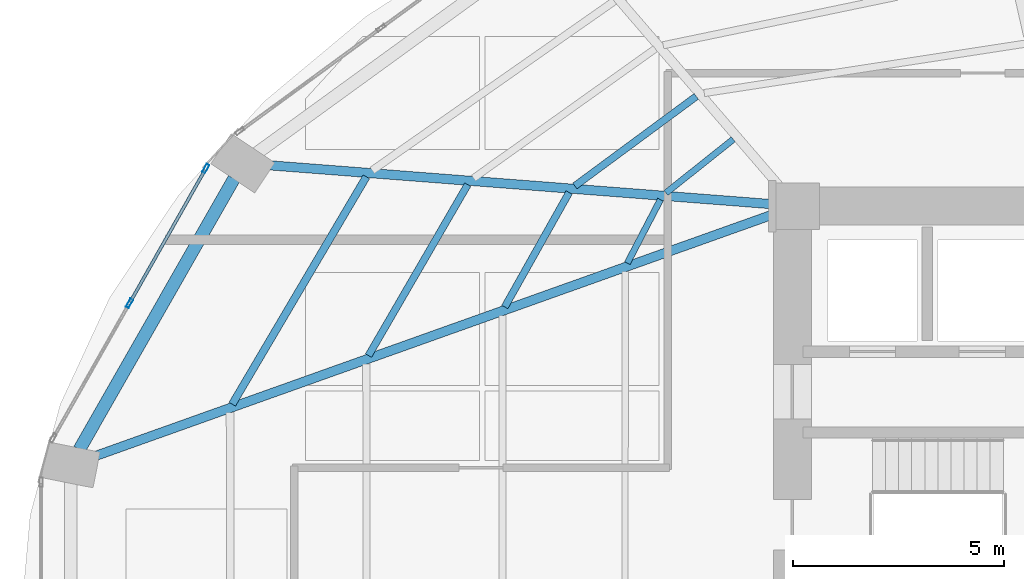
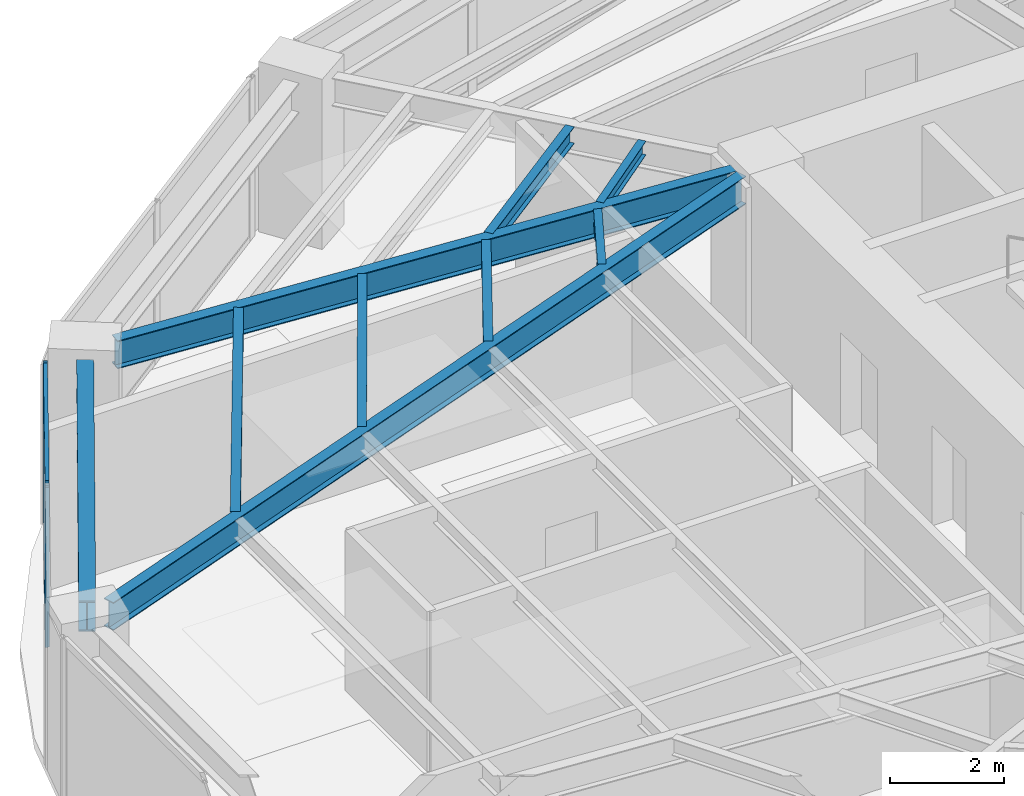
# One storey, part 8 of 24: 9 beams, 4 members, 1 element without a shape of its own.
"""IFC4 building model written with IfcOpenShell, lengths in metres."""

from ifc_helpers import new_model, si_unit, direction, frame, origin, origin_2d, place, context, subcontext, project, spatial, hollow_rectangle, i_section, extrude, material, layer, layer_set, material_profile, profile_set, type_object, element, aggregate, save


model = new_model("IFC4")

# Units and contexts
model_context = context("Model", 3, precision=1e-05, world=origin(), true_north=direction((0.0, 1.0)))
body_context = subcontext(model_context, "Body", "Model", "MODEL_VIEW")
ifc_project = project(units=[si_unit("LENGTHUNIT", "METRE"), si_unit("AREAUNIT", "SQUARE_METRE"), si_unit("VOLUMEUNIT", "CUBIC_METRE"), si_unit("PLANEANGLEUNIT", "RADIAN"), si_unit("MASSUNIT", "GRAM", prefix="KILO")], contexts=[model_context])

# Site, building, storey
site_placement = place(None, origin())
site = spatial("IfcSite", under=ifc_project, at=site_placement, CompositionType="ELEMENT")
building_placement = place(site_placement, origin())
building = spatial("IfcBuilding", under=site, at=building_placement, Name="Lazwardi Medical Tower", CompositionType="ELEMENT")
storey_placement = place(building_placement, frame((0.0, 0.0, 58.031982421875)))
storey = spatial("IfcBuildingStorey", under=building, at=storey_placement, Name="L14", CompositionType="ELEMENT", Elevation=58.031982421875)

# Beams
ifc_material_1 = material(Name="Steel S355", Category="steel")
ifc_material_profile_1 = material_profile(ifc_material_1, i_section(OverallWidth=0.300048828125, OverallDepth=0.64990234375, WebThickness=0.01611328125, FlangeThickness=0.031005859375, at=origin_2d()), Name="HEB 650")
ifc_profile_set_1 = profile_set([ifc_material_profile_1], Name="Steel S355")
beam_type_1 = type_object("IfcBeamType", Name="BM-RB-Z1", PredefinedType="BEAM", material=ifc_profile_set_1)
beam_1_placement = place(storey_placement, frame((13.072021484375, 36.24951171875, 3.10302734375), z_axis=(-0.495829348644, -0.868419977328, 0.0), x_axis=(0.868419977328, -0.495829348644, 0.0)))
element("IfcBeam", 1, at=beam_1_placement, inside=storey, type_object=beam_type_1, Name="Ring beam RB-02 B11 L14", PredefinedType="BEAM", context=body_context, shape_type="SweptSolid", body=[
    extrude(i_section(OverallWidth=0.300048828125, OverallDepth=0.64990234375, WebThickness=0.01611328125, FlangeThickness=0.031005859375, at=origin_2d()), origin(), (0.0, 0.0, 1.0), 7.38916015625),
])
ifc_material_profile_2 = material_profile(ifc_material_1, i_section(OverallWidth=0.219970703125, OverallDepth=0.60009765625, WebThickness=0.011962890625, FlangeThickness=0.01904296875, at=origin_2d()), Name="IPE 600")
ifc_profile_set_2 = profile_set([ifc_material_profile_2], Name="Steel S355")
beam_type_2 = type_object("IfcBeamType", Name="BM-RG-W1", PredefinedType="BEAM", material=ifc_profile_set_2)
beam_2_placement = place(storey_placement, frame((13.8583984375, 36.569580078125, 3.1279296875), z_axis=(0.997024241118, -0.077088667283, 0.0), x_axis=(0.077088667283, 0.997024241118, 0.0)))
element("IfcBeam", 2, at=beam_2_placement, inside=storey, type_object=beam_type_2, Name="Radial girder RG-02 R11 L14", PredefinedType="BEAM", context=body_context, shape_type="SweptSolid", body=[
    extrude(i_section(OverallWidth=0.219970703125, OverallDepth=0.60009765625, WebThickness=0.011962890625, FlangeThickness=0.01904296875, at=origin_2d()), origin(), (0.0, 0.0, 1.0), 12.044189453125),
])
beam_3_placement = place(storey_placement, frame((9.746337890625, 29.66259765625, 3.1279296875), z_axis=(0.941925080425, 0.335823082688, 0.0), x_axis=(-0.335823082688, 0.941925080425, 0.0)))
element("IfcBeam", 3, at=beam_3_placement, inside=storey, type_object=beam_type_2, Name="Radial girder RG-02 R12 L14", PredefinedType="BEAM", context=body_context, shape_type="SweptSolid", body=[
    extrude(i_section(OverallWidth=0.219970703125, OverallDepth=0.60009765625, WebThickness=0.011962890625, FlangeThickness=0.01904296875, at=origin_2d()), origin(), (0.0, 0.0, 1.0), 17.145263671875),
])
ifc_material_profile_3 = material_profile(ifc_material_1, i_section(OverallWidth=0.179931640625, OverallDepth=0.39990234375, WebThickness=0.008544921875, FlangeThickness=0.013427734375, at=origin_2d()), Name="IPE 400")
ifc_profile_set_3 = profile_set([ifc_material_profile_3], Name="Steel S355")
beam_type_3 = type_object("IfcBeamType", Name="BM-SJ-01", PredefinedType="JOIST", material=ifc_profile_set_3)
beam_4_placement = place(storey_placement, frame((16.206787109375, 36.29345703125, 3.22802734375), z_axis=(-0.507886270937, -0.861424132349, 0.0), x_axis=(0.861424132349, -0.507886270937, 0.0)))
element("IfcBeam", 4, at=beam_4_placement, inside=storey, type_object=beam_type_3, Name="Secondary joist SJ-01 R1 B11 L14", PredefinedType="JOIST", context=body_context, shape_type="SweptSolid", body=[
    extrude(i_section(OverallWidth=0.179931640625, OverallDepth=0.39990234375, WebThickness=0.008544921875, FlangeThickness=0.013427734375, at=origin_2d()), origin(), (0.0, 0.0, 1.0), 6.255859375),
])
ifc_material_profile_4 = material_profile(ifc_material_1, i_section(OverallWidth=0.169921875, OverallDepth=0.360107421875, WebThickness=0.008056640625, FlangeThickness=0.0126953125, at=origin_2d()), Name="IPE 360")
ifc_profile_set_4 = profile_set([ifc_material_profile_4], Name="Steel S355")
beam_type_4 = type_object("IfcBeamType", Name="BM-SJ-02", PredefinedType="JOIST", material=ifc_profile_set_4)
beam_5_placement = place(storey_placement, frame((18.60888671875, 36.107421875, 3.248046875), z_axis=(-0.501798442848, -0.86498457949, 0.0), x_axis=(0.86498457949, -0.501798442848, 0.0)))
element("IfcBeam", 5, at=beam_5_placement, inside=storey, type_object=beam_type_4, Name="Secondary joist SJ-02 R2 B11 L14", PredefinedType="JOIST", context=body_context, shape_type="SweptSolid", body=[
    extrude(i_section(OverallWidth=0.169921875, OverallDepth=0.360107421875, WebThickness=0.008056640625, FlangeThickness=0.0126953125, at=origin_2d()), origin(), (0.0, 0.0, 1.0), 4.683349609375),
])
beam_6_placement = place(storey_placement, frame((24.025146484375, 38.19873046875, 3.248046875), z_axis=(-0.804580292353, -0.593843879448, 0.0), x_axis=(0.593843879448, -0.804580292353, 0.0)))
element("IfcBeam", 6, at=beam_6_placement, inside=storey, type_object=beam_type_4, Name="Secondary joist SJ-02 R3 B10 L14", PredefinedType="JOIST", context=body_context, shape_type="SweptSolid", body=[
    extrude(i_section(OverallWidth=0.169921875, OverallDepth=0.360107421875, WebThickness=0.008056640625, FlangeThickness=0.0126953125, at=origin_2d()), origin(), (0.0, 0.0, 1.0), 3.576416015625),
])
beam_7_placement = place(storey_placement, frame((21.011962890625, 35.9208984375, 3.248046875), z_axis=(-0.489974339037, -0.87173685656, 0.0), x_axis=(0.87173685656, -0.489974339037, 0.0)))
element("IfcBeam", 7, at=beam_7_placement, inside=storey, type_object=beam_type_4, Name="Secondary joist SJ-02 R3 B11 L14", PredefinedType="JOIST", context=body_context, shape_type="SweptSolid", body=[
    extrude(i_section(OverallWidth=0.169921875, OverallDepth=0.360107421875, WebThickness=0.008056640625, FlangeThickness=0.0126953125, at=origin_2d()), origin(), (0.0, 0.0, 1.0), 3.111328125),
])
ifc_material_profile_5 = material_profile(ifc_material_1, i_section(OverallWidth=0.14990234375, OverallDepth=0.300048828125, WebThickness=0.007080078125, FlangeThickness=0.0107421875, at=origin_2d()), Name="IPE 300")
ifc_profile_set_5 = profile_set([ifc_material_profile_5], Name="Steel S355")
beam_type_5 = type_object("IfcBeamType", Name="BM-SJ-03", PredefinedType="JOIST", material=ifc_profile_set_5)
beam_8_placement = place(storey_placement, frame((24.901123046875, 37.1806640625, 3.278076171875), z_axis=(-0.782210957226, -0.623013658274, 0.0), x_axis=(0.623013658274, -0.782210957226, 0.0)))
element("IfcBeam", 8, at=beam_8_placement, inside=storey, type_object=beam_type_5, Name="Secondary joist SJ-03 R4 B10 L14", PredefinedType="JOIST", context=body_context, shape_type="SweptSolid", body=[
    extrude(i_section(OverallWidth=0.14990234375, OverallDepth=0.300048828125, WebThickness=0.007080078125, FlangeThickness=0.0107421875, at=origin_2d()), origin(), (0.0, 0.0, 1.0), 2.0380859375),
])
beam_9_placement = place(storey_placement, frame((23.17626953125, 35.752197265625, 3.278076171875), z_axis=(-0.462162985948, -0.88679500135, 0.0), x_axis=(0.88679500135, -0.462162985948, 0.0)))
element("IfcBeam", 9, at=beam_9_placement, inside=storey, type_object=beam_type_5, Name="Secondary joist SJ-03 R4 B11 L14", PredefinedType="JOIST", context=body_context, shape_type="SweptSolid", body=[
    extrude(i_section(OverallWidth=0.14990234375, OverallDepth=0.300048828125, WebThickness=0.007080078125, FlangeThickness=0.0107421875, at=origin_2d()), origin(), (0.0, 0.0, 1.0), 1.69775390625),
])

# Curtain wall, members
ifc_material_2 = material(Name="Anodised bronze aluminium and solar control glazing", Category="aluminium")
ifc_layer = layer(ifc_material_2, 0.199951171875)
ifc_layer_set = layer_set([ifc_layer], Name="Anodised bronze aluminium and solar control glazing")
curtain_wall_type = type_object("IfcCurtainWallType", Name="CW-SYS-02", PredefinedType="NOTDEFINED", material=ifc_layer_set)
curtain_wall_placement = place(storey_placement, origin())
curtain_wall = element("IfcCurtainWall", 10, at=curtain_wall_placement, inside=storey, type_object=curtain_wall_type, Name="L14 Unitised bronze curtain wall CW-02", PredefinedType="NOTDEFINED")
ifc_material_3 = material(Name="Anodised bronze aluminium", Category="aluminium")
ifc_material_profile_6 = material_profile(ifc_material_3, hollow_rectangle(XDim=0.074951171875, YDim=0.219970703125, WallThickness=0.00390625, at=origin_2d()), Name="ALU-MULLION 220x75x4")
ifc_profile_set_6 = profile_set([ifc_material_profile_6], Name="Anodised bronze aluminium")
member_type_1 = type_object("IfcMemberType", Name="CW-MUL-01", PredefinedType="MULLION", material=ifc_profile_set_6)
member_1_placement = place(storey_placement, frame((12.4033203125, 36.488525390625, 0.0), z_axis=(0.0, 0.0, 1.0), x_axis=(0.870111838823, -0.492854327303, 0.0)))
member_1 = element("IfcMember", 11, at=member_1_placement, type_object=member_type_1, Name="CW-02 mullion 1", PredefinedType="MULLION", context=body_context, shape_type="SweptSolid", body=[
    extrude(hollow_rectangle(XDim=0.074951171875, YDim=0.219970703125, WallThickness=0.00390625, at=origin_2d()), origin(), (0.0, 0.0, 1.0), 3.427978515625),
])
member_2_placement = place(storey_placement, frame((10.5947265625, 33.29541015625, 0.0), z_axis=(0.0, 0.0, 1.0), x_axis=(0.870111838823, -0.492854327303, 0.0)))
member_2 = element("IfcMember", 12, at=member_2_placement, type_object=member_type_1, Name="CW-02 mullion 2", PredefinedType="MULLION", context=body_context, shape_type="SweptSolid", body=[
    extrude(hollow_rectangle(XDim=0.074951171875, YDim=0.219970703125, WallThickness=0.00390625, at=origin_2d()), origin(), (0.0, 0.0, 1.0), 3.427978515625),
])
ifc_material_profile_7 = material_profile(ifc_material_3, hollow_rectangle(XDim=0.074951171875, YDim=0.159912109375, WallThickness=0.00390625, at=origin_2d()), Name="ALU-TRANSOM 160x75x4")
ifc_profile_set_7 = profile_set([ifc_material_profile_7], Name="Anodised bronze aluminium")
member_type_2 = type_object("IfcMemberType", Name="CW-TRN-01", PredefinedType="USERDEFINED", material=ifc_profile_set_7)
member_3_placement = place(storey_placement, frame((12.384765625, 36.4560546875, 0.03759765625), z_axis=(-0.49285148925, -0.870113446365, 0.0), x_axis=(0.870113446365, -0.49285148925, 0.0)))
member_3 = element("IfcMember", 13, at=member_3_placement, type_object=member_type_2, Name="CW-02 transom 1.1", ObjectType="TRANSOM", PredefinedType="USERDEFINED", context=body_context, shape_type="SweptSolid", body=[
    extrude(hollow_rectangle(XDim=0.074951171875, YDim=0.159912109375, WallThickness=0.00390625, at=origin_2d()), origin(), (0.0, 0.0, 1.0), 3.594970703125),
])
member_4_placement = place(storey_placement, frame((12.384765625, 36.4560546875, 3.390625), z_axis=(-0.49285148925, -0.870113446365, 0.0), x_axis=(0.870113446365, -0.49285148925, 0.0)))
member_4 = element("IfcMember", 14, at=member_4_placement, type_object=member_type_2, Name="CW-02 transom 1.2", ObjectType="TRANSOM", PredefinedType="USERDEFINED", context=body_context, shape_type="SweptSolid", body=[
    extrude(hollow_rectangle(XDim=0.074951171875, YDim=0.159912109375, WallThickness=0.00390625, at=origin_2d()), origin(), (0.0, 0.0, 1.0), 3.594970703125),
])
aggregate(curtain_wall, [member_1, member_2, member_3, member_4])

save(model, "model.ifc")
